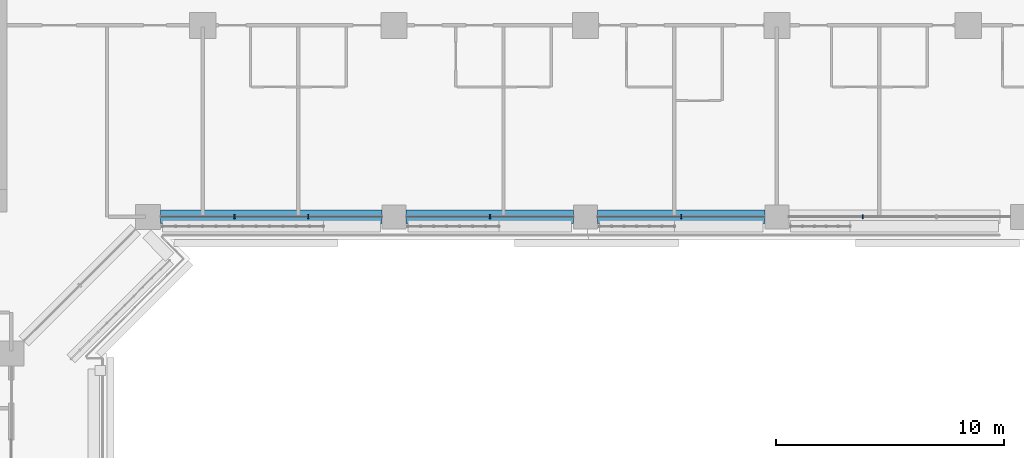
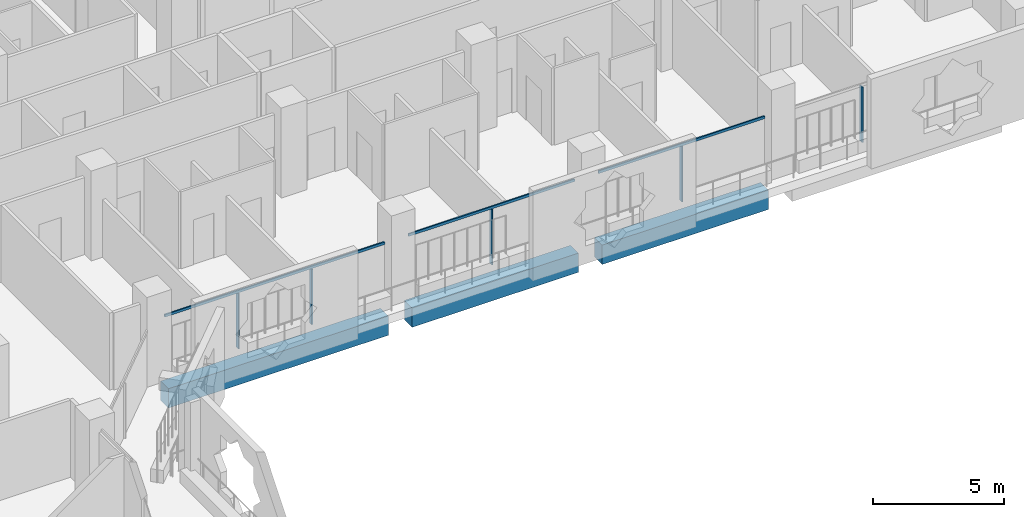
# One storey, part 6 of 26: 8 members, 3 beams, 1 element without a shape of its own.
"""IFC4 building model written with IfcOpenShell, lengths in metres."""

from ifc_helpers import new_model, si_unit, direction, frame, origin, origin_2d, place, context, subcontext, project, spatial, rectangle, extrude, material, layer, layer_set, material_profile, profile_set, type_object, element, aggregate, save


model = new_model("IFC4")

# Units and contexts
model_context = context("Model", 3, precision=1e-05, world=origin(), true_north=direction((0.0, 1.0)))
body_context = subcontext(model_context, "Body", "Model", "MODEL_VIEW")
ifc_project = project(units=[si_unit("LENGTHUNIT", "METRE"), si_unit("AREAUNIT", "SQUARE_METRE"), si_unit("VOLUMEUNIT", "CUBIC_METRE"), si_unit("PLANEANGLEUNIT", "RADIAN"), si_unit("MASSUNIT", "GRAM", prefix="KILO")], contexts=[model_context])

# Site, building, storey
site_placement = place(None, origin())
site = spatial("IfcSite", under=ifc_project, at=site_placement, CompositionType="ELEMENT")
building_placement = place(site_placement, origin())
building = spatial("IfcBuilding", under=site, at=building_placement, Name="Kawkab Arch Medical Tower", CompositionType="ELEMENT")
storey_placement = place(building_placement, frame((0.0, 0.0, 119.800048828125)))
storey = spatial("IfcBuildingStorey", under=building, at=storey_placement, Name="L27", CompositionType="ELEMENT", Elevation=119.800048828125)

# Curtain wall, members
ifc_material_1 = material(Name="Bronze anodised aluminium curtain wall frame", Category="aluminium")
ifc_layer = layer(ifc_material_1, 0.159912109375)
ifc_layer_set = layer_set([ifc_layer], Name="Bronze anodised aluminium curtain wall frame")
curtain_wall_type = type_object("IfcCurtainWallType", Name="CW1 ward curtain wall", PredefinedType="NOTDEFINED", material=ifc_layer_set)
curtain_wall_placement = place(storey_placement, origin())
curtain_wall = element("IfcCurtainWall", 1, at=curtain_wall_placement, inside=storey, type_object=curtain_wall_type, Name="CW1 Ward curtain wall R07", PredefinedType="NOTDEFINED")
ifc_material_2 = material(Name="Bronze anodised aluminium curtain wall frame", Category="aluminium")
ifc_material_profile_1 = material_profile(ifc_material_2, rectangle(XDim=0.179931640625, YDim=0.06005859375, at=origin_2d()), Name="AL 60x180")
ifc_profile_set_1 = profile_set([ifc_material_profile_1], Name="Bronze anodised aluminium curtain wall frame")
member_type_1 = type_object("IfcMemberType", Name="CW1 mullion 60 x 180", PredefinedType="MULLION", material=ifc_profile_set_1)
member_1_placement = place(storey_placement, frame((34.99169921875, -25.199951171875, 0.0), z_axis=(0.0, 0.0, 1.0), x_axis=(0.0, 1.0, 0.0)))
member_1 = element("IfcMember", 2, at=member_1_placement, type_object=member_type_1, Name="CW1 mullion 1.1", PredefinedType="MULLION", context=body_context, shape_type="SweptSolid", body=[
    extrude(rectangle(XDim=0.179931640625, YDim=0.06005859375, at=origin_2d()), origin(), (0.0, 0.0, 1.0), 2.579833984375),
])
member_2_placement = place(storey_placement, frame((38.2333984375, -25.199951171875, 0.0), z_axis=(0.0, 0.0, 1.0), x_axis=(0.0, 1.0, 0.0)))
member_2 = element("IfcMember", 3, at=member_2_placement, type_object=member_type_1, Name="CW1 mullion 1.2", PredefinedType="MULLION", context=body_context, shape_type="SweptSolid", body=[
    extrude(rectangle(XDim=0.179931640625, YDim=0.06005859375, at=origin_2d()), origin(), (0.0, 0.0, 1.0), 2.579833984375),
])
member_3_placement = place(storey_placement, frame((46.199951171875, -25.199951171875, 0.0), z_axis=(0.0, 0.0, 1.0), x_axis=(0.0, 1.0, 0.0)))
member_3 = element("IfcMember", 4, at=member_3_placement, type_object=member_type_1, Name="CW1 mullion 2.1", PredefinedType="MULLION", context=body_context, shape_type="SweptSolid", body=[
    extrude(rectangle(XDim=0.179931640625, YDim=0.06005859375, at=origin_2d()), origin(), (0.0, 0.0, 1.0), 2.579833984375),
])
member_4_placement = place(storey_placement, frame((54.60009765625, -25.199951171875, 0.0), z_axis=(0.0, 0.0, 1.0), x_axis=(0.0, 1.0, 0.0)))
member_4 = element("IfcMember", 5, at=member_4_placement, type_object=member_type_1, Name="CW1 mullion 3.1", PredefinedType="MULLION", context=body_context, shape_type="SweptSolid", body=[
    extrude(rectangle(XDim=0.179931640625, YDim=0.06005859375, at=origin_2d()), origin(), (0.0, 0.0, 1.0), 2.579833984375),
])
member_5_placement = place(storey_placement, frame((62.566650390625, -25.199951171875, 0.0), z_axis=(0.0, 0.0, 1.0), x_axis=(0.0, 1.0, 0.0)))
member_5 = element("IfcMember", 6, at=member_5_placement, type_object=member_type_1, Name="CW1 mullion 4.1", PredefinedType="MULLION", context=body_context, shape_type="SweptSolid", body=[
    extrude(rectangle(XDim=0.179931640625, YDim=0.06005859375, at=origin_2d()), origin(), (0.0, 0.0, 1.0), 2.579833984375),
])
ifc_material_3 = material(Name="Bronze anodised aluminium curtain wall frame", Category="aluminium")
ifc_material_profile_2 = material_profile(ifc_material_3, rectangle(XDim=0.06005859375, YDim=0.1201171875, at=origin_2d()), Name="AL 60x120")
ifc_profile_set_2 = profile_set([ifc_material_profile_2], Name="Bronze anodised aluminium curtain wall frame")
member_type_2 = type_object("IfcMemberType", Name="CW1 transom 120 x 60", PredefinedType="USERDEFINED", material=ifc_profile_set_2)
member_6_placement = place(storey_placement, frame((31.75, -25.199951171875, 2.639892578125), z_axis=(1.0, 0.0, 0.0), x_axis=(0.0, 1.0, 0.0)))
member_6 = element("IfcMember", 7, at=member_6_placement, type_object=member_type_2, Name="CW1 transom 1", ObjectType="TRANSOM", PredefinedType="USERDEFINED", context=body_context, shape_type="SweptSolid", body=[
    extrude(rectangle(XDim=0.06005859375, YDim=0.1201171875, at=origin_2d()), origin(), (0.0, 0.0, 1.0), 9.72509765625),
])
member_7_placement = place(storey_placement, frame((42.52490234375, -25.199951171875, 2.639892578125), z_axis=(1.0, 0.0, 0.0), x_axis=(0.0, 1.0, 0.0)))
member_7 = element("IfcMember", 8, at=member_7_placement, type_object=member_type_2, Name="CW1 transom 2", ObjectType="TRANSOM", PredefinedType="USERDEFINED", context=body_context, shape_type="SweptSolid", body=[
    extrude(rectangle(XDim=0.06005859375, YDim=0.1201171875, at=origin_2d()), origin(), (0.0, 0.0, 1.0), 7.35009765625),
])
member_8_placement = place(storey_placement, frame((50.925048828125, -25.199951171875, 2.639892578125), z_axis=(1.0, 0.0, 0.0), x_axis=(0.0, 1.0, 0.0)))
member_8 = element("IfcMember", 9, at=member_8_placement, type_object=member_type_2, Name="CW1 transom 3", ObjectType="TRANSOM", PredefinedType="USERDEFINED", context=body_context, shape_type="SweptSolid", body=[
    extrude(rectangle(XDim=0.06005859375, YDim=0.1201171875, at=origin_2d()), origin(), (0.0, 0.0, 1.0), 7.349853515625),
])
aggregate(curtain_wall, [member_6, member_1, member_2, member_7, member_3, member_8, member_4, member_5])

# Beams
ifc_material_4 = material(Name="Concrete C55/67", Category="concrete")
ifc_material_profile_3 = material_profile(ifc_material_4, rectangle(XDim=0.60009765625, YDim=0.89990234375, at=origin_2d()), Name="RC 600x900")
ifc_profile_set_3 = profile_set([ifc_material_profile_3], Name="Concrete C55/67")
beam_type = type_object("IfcBeamType", Name="RC 600x900 beam C55/67", PredefinedType="BEAM", material=ifc_profile_set_3)
beam_1_placement = place(storey_placement, frame((58.27490234375, -25.199951171875, -1.050048828125), z_axis=(-1.0, 0.0, 0.0), x_axis=(0.0, -1.0, 0.0)))
element("IfcBeam", 10, at=beam_1_placement, inside=storey, type_object=beam_type, Name="Overhang edge beam L27-03", PredefinedType="BEAM", context=body_context, shape_type="SweptSolid", body=[
    extrude(rectangle(XDim=0.60009765625, YDim=0.89990234375, at=origin_2d()), origin(), (0.0, 0.0, 1.0), 7.349853515625),
])
beam_2_placement = place(storey_placement, frame((49.875, -25.199951171875, -1.050048828125), z_axis=(-1.0, 0.0, 0.0), x_axis=(0.0, -1.0, 0.0)))
element("IfcBeam", 11, at=beam_2_placement, inside=storey, type_object=beam_type, Name="Overhang edge beam L27-04", PredefinedType="BEAM", context=body_context, shape_type="SweptSolid", body=[
    extrude(rectangle(XDim=0.60009765625, YDim=0.89990234375, at=origin_2d()), origin(), (0.0, 0.0, 1.0), 7.35009765625),
])
beam_3_placement = place(storey_placement, frame((41.47509765625, -25.199951171875, -1.050048828125), z_axis=(-1.0, 0.0, 0.0), x_axis=(0.0, -1.0, 0.0)))
element("IfcBeam", 12, at=beam_3_placement, inside=storey, type_object=beam_type, Name="Overhang edge beam L27-05", PredefinedType="BEAM", context=body_context, shape_type="SweptSolid", body=[
    extrude(rectangle(XDim=0.60009765625, YDim=0.89990234375, at=origin_2d()), origin(), (0.0, 0.0, 1.0), 9.72509765625),
])

save(model, "model.ifc")
